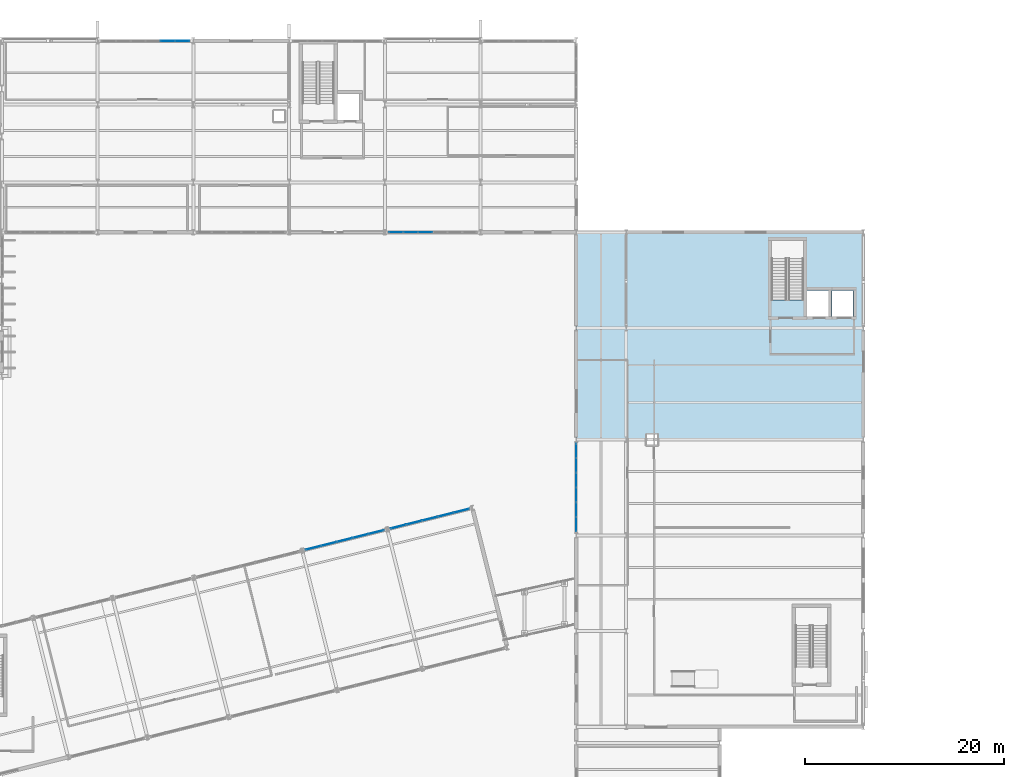
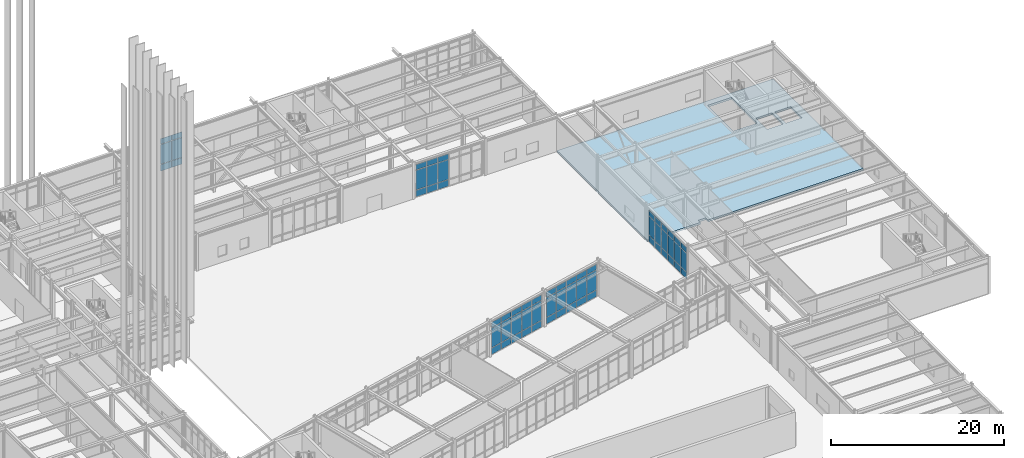
# One storey, part 75 of 109: 63 plates, 1 slab, 5 elements without a shape of their own.
"""IFC4 building model written with IfcOpenShell, lengths in metres."""

from ifc_helpers import new_model, si_unit, direction, frame, origin, origin_2d, place, context, subcontext, project, spatial, polyline, rectangle, outline, extrude, material, layer, layer_set, type_object, element, aggregate, save


model = new_model("IFC4")

# Units and contexts
model_context = context("Model", 3, precision=1e-05, world=origin(), true_north=direction((0.0, 1.0)))
body_context = subcontext(model_context, "Body", "Model", "MODEL_VIEW")
ifc_project = project(units=[si_unit("LENGTHUNIT", "METRE"), si_unit("AREAUNIT", "SQUARE_METRE"), si_unit("VOLUMEUNIT", "CUBIC_METRE"), si_unit("PLANEANGLEUNIT", "RADIAN"), si_unit("MASSUNIT", "GRAM", prefix="KILO")], contexts=[model_context])

# Site, building, storey
site_placement = place(None, origin())
site = spatial("IfcSite", under=ifc_project, at=site_placement, CompositionType="ELEMENT")
building_placement = place(site_placement, origin())
building = spatial("IfcBuilding", under=site, at=building_placement, Name="Nordkorset Police Headquarters", CompositionType="ELEMENT")
storey_placement = place(building_placement, origin())
storey = spatial("IfcBuildingStorey", under=building, at=storey_placement, Name="L00", CompositionType="ELEMENT", Elevation=0.0)

# Curtain wall, plates
ifc_material_1 = material(Name="Aluminium alloy AW-6060", Category="aluminium")
ifc_layer_1 = layer(ifc_material_1, 0.179931640625, Name="Aluminium alloy AW-6060")
ifc_layer_set_1 = layer_set([ifc_layer_1], Name="Aluminium alloy AW-6060")
curtain_wall_type_1 = type_object("IfcCurtainWallType", Name="CW_Unit_888x467", PredefinedType="USERDEFINED", material=ifc_layer_set_1)
curtain_wall_1_placement = place(storey_placement, origin())
curtain_wall_1 = element("IfcCurtainWall", 1, at=curtain_wall_1_placement, inside=storey, type_object=curtain_wall_type_1, Name="Unitised Curtain Wall L00 V2N-1", ObjectType="UNITISED CURTAIN WALL", PredefinedType="USERDEFINED")
ifc_material_2 = material(Name="Low-iron triple glazing", Category="glass")
ifc_layer_2 = layer(ifc_material_2, 0.035888671875, Name="Low-iron triple glazing")
ifc_layer_set_2 = layer_set([ifc_layer_2], Name="Low-iron triple glazing")
plate_type = type_object("IfcPlateType", Name="CW_Panel_TripleGlazing_36", PredefinedType="CURTAIN_PANEL", material=ifc_layer_set_2)
plate_1_placement = place(storey_placement, frame((45.419921875, 116.800048828125, 0.06494140625), z_axis=(0.0, 0.0, 1.0), x_axis=(1.0, 0.0, 0.0)))
plate_1 = element("IfcPlate", 2, at=plate_1_placement, type_object=plate_type, Name="CW-51 panel 5.1", PredefinedType="CURTAIN_PANEL", context=body_context, shape_type="SweptSolid", body=[
    extrude(rectangle(XDim=1.4150390625, YDim=0.035888671875, at=origin_2d()), origin(), (0.0, 0.0, 1.0), 0.902587890625),
])
plate_2_placement = place(storey_placement, frame((45.419921875, 116.800048828125, 1.032470703125), z_axis=(0.0, 0.0, 1.0), x_axis=(1.0, 0.0, 0.0)))
plate_2 = element("IfcPlate", 3, at=plate_2_placement, type_object=plate_type, Name="CW-51 panel 5.2", PredefinedType="CURTAIN_PANEL", context=body_context, shape_type="SweptSolid", body=[
    extrude(rectangle(XDim=1.4150390625, YDim=0.035888671875, at=origin_2d()), origin(), (0.0, 0.0, 1.0), 2.7548828125),
])
plate_3_placement = place(storey_placement, frame((45.419921875, 116.800048828125, 3.8525390625), z_axis=(0.0, 0.0, 1.0), x_axis=(1.0, 0.0, 0.0)))
plate_3 = element("IfcPlate", 4, at=plate_3_placement, type_object=plate_type, Name="CW-51 panel 5.3", PredefinedType="CURTAIN_PANEL", context=body_context, shape_type="SweptSolid", body=[
    extrude(rectangle(XDim=1.4150390625, YDim=0.035888671875, at=origin_2d()), origin(), (0.0, 0.0, 1.0), 0.75244140625),
])
plate_4_placement = place(storey_placement, frame((46.8837890625, 116.800048828125, 0.06494140625), z_axis=(0.0, 0.0, 1.0), x_axis=(1.0, 0.0, 0.0)))
plate_4 = element("IfcPlate", 5, at=plate_4_placement, type_object=plate_type, Name="CW-51 panel 6.1", PredefinedType="CURTAIN_PANEL", context=body_context, shape_type="SweptSolid", body=[
    extrude(rectangle(XDim=1.382568359375, YDim=0.035888671875, at=origin_2d()), origin(), (0.0, 0.0, 1.0), 0.902587890625),
])
plate_5_placement = place(storey_placement, frame((46.8837890625, 116.800048828125, 1.032470703125), z_axis=(0.0, 0.0, 1.0), x_axis=(1.0, 0.0, 0.0)))
plate_5 = element("IfcPlate", 6, at=plate_5_placement, type_object=plate_type, Name="CW-51 panel 6.2", PredefinedType="CURTAIN_PANEL", context=body_context, shape_type="SweptSolid", body=[
    extrude(rectangle(XDim=1.382568359375, YDim=0.035888671875, at=origin_2d()), origin(), (0.0, 0.0, 1.0), 2.7548828125),
])
plate_6_placement = place(storey_placement, frame((46.8837890625, 116.800048828125, 3.8525390625), z_axis=(0.0, 0.0, 1.0), x_axis=(1.0, 0.0, 0.0)))
plate_6 = element("IfcPlate", 7, at=plate_6_placement, type_object=plate_type, Name="CW-51 panel 6.3", PredefinedType="CURTAIN_PANEL", context=body_context, shape_type="SweptSolid", body=[
    extrude(rectangle(XDim=1.382568359375, YDim=0.035888671875, at=origin_2d()), origin(), (0.0, 0.0, 1.0), 0.75244140625),
])
aggregate(curtain_wall_1, [plate_1, plate_2, plate_3, plate_4, plate_5, plate_6])

curtain_wall_2_placement = place(storey_placement, origin())
curtain_wall_2 = element("IfcCurtainWall", 8, at=curtain_wall_2_placement, inside=storey, type_object=curtain_wall_type_1, Name="Unitised Curtain Wall L00 V2S-4", ObjectType="UNITISED CURTAIN WALL", PredefinedType="USERDEFINED")
plate_7_placement = place(storey_placement, frame((68.316162109375, 97.60009765625, 0.06494140625), z_axis=(0.0, 0.0, 1.0), x_axis=(1.0, 0.0, 0.0)))
plate_7 = element("IfcPlate", 9, at=plate_7_placement, type_object=plate_type, Name="CW-51 panel 1.1", PredefinedType="CURTAIN_PANEL", context=body_context, shape_type="SweptSolid", body=[
    extrude(rectangle(XDim=1.382568359375, YDim=0.035888671875, at=origin_2d()), origin(), (0.0, 0.0, 1.0), 0.902587890625),
])
plate_8_placement = place(storey_placement, frame((68.316162109375, 97.60009765625, 1.032470703125), z_axis=(0.0, 0.0, 1.0), x_axis=(1.0, 0.0, 0.0)))
plate_8 = element("IfcPlate", 10, at=plate_8_placement, type_object=plate_type, Name="CW-51 panel 1.2", PredefinedType="CURTAIN_PANEL", context=body_context, shape_type="SweptSolid", body=[
    extrude(rectangle(XDim=1.382568359375, YDim=0.035888671875, at=origin_2d()), origin(), (0.0, 0.0, 1.0), 2.7548828125),
])
plate_9_placement = place(storey_placement, frame((68.316162109375, 97.60009765625, 3.8525390625), z_axis=(0.0, 0.0, 1.0), x_axis=(1.0, 0.0, 0.0)))
plate_9 = element("IfcPlate", 11, at=plate_9_placement, type_object=plate_type, Name="CW-51 panel 1.3", PredefinedType="CURTAIN_PANEL", context=body_context, shape_type="SweptSolid", body=[
    extrude(rectangle(XDim=1.382568359375, YDim=0.035888671875, at=origin_2d()), origin(), (0.0, 0.0, 1.0), 0.75244140625),
])
plate_10_placement = place(storey_placement, frame((69.780029296875, 97.60009765625, 0.06494140625), z_axis=(0.0, 0.0, 1.0), x_axis=(1.0, 0.0, 0.0)))
plate_10 = element("IfcPlate", 12, at=plate_10_placement, type_object=plate_type, Name="CW-51 panel 2.1", PredefinedType="CURTAIN_PANEL", context=body_context, shape_type="SweptSolid", body=[
    extrude(rectangle(XDim=1.4150390625, YDim=0.035888671875, at=origin_2d()), origin(), (0.0, 0.0, 1.0), 0.902587890625),
])
plate_11_placement = place(storey_placement, frame((69.780029296875, 97.60009765625, 1.032470703125), z_axis=(0.0, 0.0, 1.0), x_axis=(1.0, 0.0, 0.0)))
plate_11 = element("IfcPlate", 13, at=plate_11_placement, type_object=plate_type, Name="CW-51 panel 2.2", PredefinedType="CURTAIN_PANEL", context=body_context, shape_type="SweptSolid", body=[
    extrude(rectangle(XDim=1.4150390625, YDim=0.035888671875, at=origin_2d()), origin(), (0.0, 0.0, 1.0), 2.7548828125),
])
plate_12_placement = place(storey_placement, frame((69.780029296875, 97.60009765625, 3.8525390625), z_axis=(0.0, 0.0, 1.0), x_axis=(1.0, 0.0, 0.0)))
plate_12 = element("IfcPlate", 14, at=plate_12_placement, type_object=plate_type, Name="CW-51 panel 2.3", PredefinedType="CURTAIN_PANEL", context=body_context, shape_type="SweptSolid", body=[
    extrude(rectangle(XDim=1.4150390625, YDim=0.035888671875, at=origin_2d()), origin(), (0.0, 0.0, 1.0), 0.75244140625),
])
plate_13_placement = place(storey_placement, frame((71.260009765625, 97.60009765625, 0.06494140625), z_axis=(0.0, 0.0, 1.0), x_axis=(1.0, 0.0, 0.0)))
plate_13 = element("IfcPlate", 15, at=plate_13_placement, type_object=plate_type, Name="CW-51 panel 3.1", PredefinedType="CURTAIN_PANEL", context=body_context, shape_type="SweptSolid", body=[
    extrude(rectangle(XDim=1.4150390625, YDim=0.035888671875, at=origin_2d()), origin(), (0.0, 0.0, 1.0), 0.902587890625),
])
plate_14_placement = place(storey_placement, frame((71.260009765625, 97.60009765625, 1.032470703125), z_axis=(0.0, 0.0, 1.0), x_axis=(1.0, 0.0, 0.0)))
plate_14 = element("IfcPlate", 16, at=plate_14_placement, type_object=plate_type, Name="CW-51 panel 3.2", PredefinedType="CURTAIN_PANEL", context=body_context, shape_type="SweptSolid", body=[
    extrude(rectangle(XDim=1.4150390625, YDim=0.035888671875, at=origin_2d()), origin(), (0.0, 0.0, 1.0), 2.7548828125),
])
plate_15_placement = place(storey_placement, frame((71.260009765625, 97.60009765625, 3.8525390625), z_axis=(0.0, 0.0, 1.0), x_axis=(1.0, 0.0, 0.0)))
plate_15 = element("IfcPlate", 17, at=plate_15_placement, type_object=plate_type, Name="CW-51 panel 3.3", PredefinedType="CURTAIN_PANEL", context=body_context, shape_type="SweptSolid", body=[
    extrude(rectangle(XDim=1.4150390625, YDim=0.035888671875, at=origin_2d()), origin(), (0.0, 0.0, 1.0), 0.75244140625),
])
aggregate(curtain_wall_2, [plate_7, plate_8, plate_9, plate_10, plate_11, plate_12, plate_13, plate_14, plate_15])

ifc_material_3 = material(Name="Aluminium alloy AW-6060", Category="aluminium")
ifc_layer_3 = layer(ifc_material_3, 0.179931640625, Name="Aluminium alloy AW-6060")
ifc_layer_set_3 = layer_set([ifc_layer_3], Name="Aluminium alloy AW-6060")
curtain_wall_type_2 = type_object("IfcCurtainWallType", Name="CW_Unit_816x467", PredefinedType="USERDEFINED", material=ifc_layer_set_3)
curtain_wall_3_placement = place(storey_placement, origin())
curtain_wall_3 = element("IfcCurtainWall", 18, at=curtain_wall_3_placement, inside=storey, type_object=curtain_wall_type_2, Name="Unitised Curtain Wall L00 V4N-4", ObjectType="UNITISED CURTAIN WALL", PredefinedType="USERDEFINED")
plate_16_placement = place(storey_placement, frame((60.031005859375, 65.950927734375, 0.06494140625), z_axis=(0.0, 0.0, 1.0), x_axis=(0.970142572234, 0.242535336683, 0.0)))
plate_16 = element("IfcPlate", 19, at=plate_16_placement, type_object=plate_type, Name="CW-80 panel 1.1", PredefinedType="CURTAIN_PANEL", context=body_context, shape_type="SweptSolid", body=[
    extrude(rectangle(XDim=1.534423828125, YDim=0.035888671875, at=origin_2d()), origin(), (0.0, 0.0, 1.0), 0.902587890625),
])
plate_17_placement = place(storey_placement, frame((60.031005859375, 65.950927734375, 1.032470703125), z_axis=(0.0, 0.0, 1.0), x_axis=(0.970142572234, 0.242535336683, 0.0)))
plate_17 = element("IfcPlate", 20, at=plate_17_placement, type_object=plate_type, Name="CW-80 panel 1.2", PredefinedType="CURTAIN_PANEL", context=body_context, shape_type="SweptSolid", body=[
    extrude(rectangle(XDim=1.534423828125, YDim=0.035888671875, at=origin_2d()), origin(), (0.0, 0.0, 1.0), 2.7548828125),
])
plate_18_placement = place(storey_placement, frame((60.031005859375, 65.950927734375, 3.8525390625), z_axis=(0.0, 0.0, 1.0), x_axis=(0.970142572234, 0.242535336683, 0.0)))
plate_18 = element("IfcPlate", 21, at=plate_18_placement, type_object=plate_type, Name="CW-80 panel 1.3", PredefinedType="CURTAIN_PANEL", context=body_context, shape_type="SweptSolid", body=[
    extrude(rectangle(XDim=1.534423828125, YDim=0.035888671875, at=origin_2d()), origin(), (0.0, 0.0, 1.0), 0.75244140625),
])
plate_19_placement = place(storey_placement, frame((61.5986328125, 66.3427734375, 0.06494140625), z_axis=(0.0, 0.0, 1.0), x_axis=(0.970142572234, 0.242535336683, 0.0)))
plate_19 = element("IfcPlate", 22, at=plate_19_placement, type_object=plate_type, Name="CW-80 panel 2.1", PredefinedType="CURTAIN_PANEL", context=body_context, shape_type="SweptSolid", body=[
    extrude(rectangle(XDim=1.56689453125, YDim=0.035888671875, at=origin_2d()), origin(), (0.0, 0.0, 1.0), 0.902587890625),
])
plate_20_placement = place(storey_placement, frame((61.5986328125, 66.3427734375, 1.032470703125), z_axis=(0.0, 0.0, 1.0), x_axis=(0.970142572234, 0.242535336683, 0.0)))
plate_20 = element("IfcPlate", 23, at=plate_20_placement, type_object=plate_type, Name="CW-80 panel 2.2", PredefinedType="CURTAIN_PANEL", context=body_context, shape_type="SweptSolid", body=[
    extrude(rectangle(XDim=1.56689453125, YDim=0.035888671875, at=origin_2d()), origin(), (0.0, 0.0, 1.0), 2.7548828125),
])
plate_21_placement = place(storey_placement, frame((61.5986328125, 66.3427734375, 3.8525390625), z_axis=(0.0, 0.0, 1.0), x_axis=(0.970142572234, 0.242535336683, 0.0)))
plate_21 = element("IfcPlate", 24, at=plate_21_placement, type_object=plate_type, Name="CW-80 panel 2.3", PredefinedType="CURTAIN_PANEL", context=body_context, shape_type="SweptSolid", body=[
    extrude(rectangle(XDim=1.56689453125, YDim=0.035888671875, at=origin_2d()), origin(), (0.0, 0.0, 1.0), 0.75244140625),
])
plate_22_placement = place(storey_placement, frame((63.181884765625, 66.738525390625, 0.06494140625), z_axis=(0.0, 0.0, 1.0), x_axis=(0.970142572234, 0.242535336683, 0.0)))
plate_22 = element("IfcPlate", 25, at=plate_22_placement, type_object=plate_type, Name="CW-80 panel 3.1", PredefinedType="CURTAIN_PANEL", context=body_context, shape_type="SweptSolid", body=[
    extrude(rectangle(XDim=1.56689453125, YDim=0.035888671875, at=origin_2d()), origin(), (0.0, 0.0, 1.0), 0.902587890625),
])
plate_23_placement = place(storey_placement, frame((63.181884765625, 66.738525390625, 1.032470703125), z_axis=(0.0, 0.0, 1.0), x_axis=(0.970142572234, 0.242535336683, 0.0)))
plate_23 = element("IfcPlate", 26, at=plate_23_placement, type_object=plate_type, Name="CW-80 panel 3.2", PredefinedType="CURTAIN_PANEL", context=body_context, shape_type="SweptSolid", body=[
    extrude(rectangle(XDim=1.56689453125, YDim=0.035888671875, at=origin_2d()), origin(), (0.0, 0.0, 1.0), 2.7548828125),
])
plate_24_placement = place(storey_placement, frame((63.181884765625, 66.738525390625, 3.8525390625), z_axis=(0.0, 0.0, 1.0), x_axis=(0.970142572234, 0.242535336683, 0.0)))
plate_24 = element("IfcPlate", 27, at=plate_24_placement, type_object=plate_type, Name="CW-80 panel 3.3", PredefinedType="CURTAIN_PANEL", context=body_context, shape_type="SweptSolid", body=[
    extrude(rectangle(XDim=1.56689453125, YDim=0.035888671875, at=origin_2d()), origin(), (0.0, 0.0, 1.0), 0.75244140625),
])
plate_25_placement = place(storey_placement, frame((64.76513671875, 67.134521484375, 0.06494140625), z_axis=(0.0, 0.0, 1.0), x_axis=(0.970142572234, 0.242535336683, 0.0)))
plate_25 = element("IfcPlate", 28, at=plate_25_placement, type_object=plate_type, Name="CW-80 panel 4.1", PredefinedType="CURTAIN_PANEL", context=body_context, shape_type="SweptSolid", body=[
    extrude(rectangle(XDim=1.56689453125, YDim=0.035888671875, at=origin_2d()), origin(), (0.0, 0.0, 1.0), 0.902587890625),
])
plate_26_placement = place(storey_placement, frame((64.76513671875, 67.134521484375, 1.032470703125), z_axis=(0.0, 0.0, 1.0), x_axis=(0.970142572234, 0.242535336683, 0.0)))
plate_26 = element("IfcPlate", 29, at=plate_26_placement, type_object=plate_type, Name="CW-80 panel 4.2", PredefinedType="CURTAIN_PANEL", context=body_context, shape_type="SweptSolid", body=[
    extrude(rectangle(XDim=1.56689453125, YDim=0.035888671875, at=origin_2d()), origin(), (0.0, 0.0, 1.0), 2.7548828125),
])
plate_27_placement = place(storey_placement, frame((64.76513671875, 67.134521484375, 3.8525390625), z_axis=(0.0, 0.0, 1.0), x_axis=(0.970142572234, 0.242535336683, 0.0)))
plate_27 = element("IfcPlate", 30, at=plate_27_placement, type_object=plate_type, Name="CW-80 panel 4.3", PredefinedType="CURTAIN_PANEL", context=body_context, shape_type="SweptSolid", body=[
    extrude(rectangle(XDim=1.56689453125, YDim=0.035888671875, at=origin_2d()), origin(), (0.0, 0.0, 1.0), 0.75244140625),
])
plate_28_placement = place(storey_placement, frame((66.33251953125, 67.5263671875, 0.06494140625), z_axis=(0.0, 0.0, 1.0), x_axis=(0.970142572234, 0.242535336683, 0.0)))
plate_28 = element("IfcPlate", 31, at=plate_28_placement, type_object=plate_type, Name="CW-80 panel 5.1", PredefinedType="CURTAIN_PANEL", context=body_context, shape_type="SweptSolid", body=[
    extrude(rectangle(XDim=1.534423828125, YDim=0.035888671875, at=origin_2d()), origin(), (0.0, 0.0, 1.0), 0.902587890625),
])
plate_29_placement = place(storey_placement, frame((66.33251953125, 67.5263671875, 1.032470703125), z_axis=(0.0, 0.0, 1.0), x_axis=(0.970142572234, 0.242535336683, 0.0)))
plate_29 = element("IfcPlate", 32, at=plate_29_placement, type_object=plate_type, Name="CW-80 panel 5.2", PredefinedType="CURTAIN_PANEL", context=body_context, shape_type="SweptSolid", body=[
    extrude(rectangle(XDim=1.534423828125, YDim=0.035888671875, at=origin_2d()), origin(), (0.0, 0.0, 1.0), 2.7548828125),
])
plate_30_placement = place(storey_placement, frame((66.33251953125, 67.5263671875, 3.8525390625), z_axis=(0.0, 0.0, 1.0), x_axis=(0.970142572234, 0.242535336683, 0.0)))
plate_30 = element("IfcPlate", 33, at=plate_30_placement, type_object=plate_type, Name="CW-80 panel 5.3", PredefinedType="CURTAIN_PANEL", context=body_context, shape_type="SweptSolid", body=[
    extrude(rectangle(XDim=1.534423828125, YDim=0.035888671875, at=origin_2d()), origin(), (0.0, 0.0, 1.0), 0.75244140625),
])
aggregate(curtain_wall_3, [plate_16, plate_17, plate_18, plate_19, plate_20, plate_21, plate_22, plate_23, plate_24, plate_25, plate_26, plate_27, plate_28, plate_29, plate_30])

curtain_wall_4_placement = place(storey_placement, origin())
curtain_wall_4 = element("IfcCurtainWall", 34, at=curtain_wall_4_placement, inside=storey, type_object=curtain_wall_type_2, Name="Unitised Curtain Wall L00 V4N-5", ObjectType="UNITISED CURTAIN WALL", PredefinedType="USERDEFINED")
plate_31_placement = place(storey_placement, frame((68.568359375, 68.085205078125, 0.06494140625), z_axis=(0.0, 0.0, 1.0), x_axis=(0.970142500145, 0.242535625038, 0.0)))
plate_31 = element("IfcPlate", 35, at=plate_31_placement, type_object=plate_type, Name="CW-80 panel 1.1", PredefinedType="CURTAIN_PANEL", context=body_context, shape_type="SweptSolid", body=[
    extrude(rectangle(XDim=1.534423828125, YDim=0.035888671875, at=origin_2d()), origin(), (0.0, 0.0, 1.0), 0.902587890625),
])
plate_32_placement = place(storey_placement, frame((68.568359375, 68.085205078125, 1.032470703125), z_axis=(0.0, 0.0, 1.0), x_axis=(0.970142500145, 0.242535625038, 0.0)))
plate_32 = element("IfcPlate", 36, at=plate_32_placement, type_object=plate_type, Name="CW-80 panel 1.2", PredefinedType="CURTAIN_PANEL", context=body_context, shape_type="SweptSolid", body=[
    extrude(rectangle(XDim=1.534423828125, YDim=0.035888671875, at=origin_2d()), origin(), (0.0, 0.0, 1.0), 2.7548828125),
])
plate_33_placement = place(storey_placement, frame((68.568359375, 68.085205078125, 3.8525390625), z_axis=(0.0, 0.0, 1.0), x_axis=(0.970142500145, 0.242535625038, 0.0)))
plate_33 = element("IfcPlate", 37, at=plate_33_placement, type_object=plate_type, Name="CW-80 panel 1.3", PredefinedType="CURTAIN_PANEL", context=body_context, shape_type="SweptSolid", body=[
    extrude(rectangle(XDim=1.534423828125, YDim=0.035888671875, at=origin_2d()), origin(), (0.0, 0.0, 1.0), 0.75244140625),
])
plate_34_placement = place(storey_placement, frame((70.1357421875, 68.47705078125, 0.06494140625), z_axis=(0.0, 0.0, 1.0), x_axis=(0.970142500145, 0.242535625038, 0.0)))
plate_34 = element("IfcPlate", 38, at=plate_34_placement, type_object=plate_type, Name="CW-80 panel 2.1", PredefinedType="CURTAIN_PANEL", context=body_context, shape_type="SweptSolid", body=[
    extrude(rectangle(XDim=1.56689453125, YDim=0.035888671875, at=origin_2d()), origin(), (0.0, 0.0, 1.0), 0.902587890625),
])
plate_35_placement = place(storey_placement, frame((70.1357421875, 68.47705078125, 1.032470703125), z_axis=(0.0, 0.0, 1.0), x_axis=(0.970142500145, 0.242535625038, 0.0)))
plate_35 = element("IfcPlate", 39, at=plate_35_placement, type_object=plate_type, Name="CW-80 panel 2.2", PredefinedType="CURTAIN_PANEL", context=body_context, shape_type="SweptSolid", body=[
    extrude(rectangle(XDim=1.56689453125, YDim=0.035888671875, at=origin_2d()), origin(), (0.0, 0.0, 1.0), 2.7548828125),
])
plate_36_placement = place(storey_placement, frame((70.1357421875, 68.47705078125, 3.8525390625), z_axis=(0.0, 0.0, 1.0), x_axis=(0.970142500145, 0.242535625038, 0.0)))
plate_36 = element("IfcPlate", 40, at=plate_36_placement, type_object=plate_type, Name="CW-80 panel 2.3", PredefinedType="CURTAIN_PANEL", context=body_context, shape_type="SweptSolid", body=[
    extrude(rectangle(XDim=1.56689453125, YDim=0.035888671875, at=origin_2d()), origin(), (0.0, 0.0, 1.0), 0.75244140625),
])
plate_37_placement = place(storey_placement, frame((71.718994140625, 68.873046875, 0.06494140625), z_axis=(0.0, 0.0, 1.0), x_axis=(0.970142500145, 0.242535625038, 0.0)))
plate_37 = element("IfcPlate", 41, at=plate_37_placement, type_object=plate_type, Name="CW-80 panel 3.1", PredefinedType="CURTAIN_PANEL", context=body_context, shape_type="SweptSolid", body=[
    extrude(rectangle(XDim=1.56689453125, YDim=0.035888671875, at=origin_2d()), origin(), (0.0, 0.0, 1.0), 0.902587890625),
])
plate_38_placement = place(storey_placement, frame((71.718994140625, 68.873046875, 1.032470703125), z_axis=(0.0, 0.0, 1.0), x_axis=(0.970142500145, 0.242535625038, 0.0)))
plate_38 = element("IfcPlate", 42, at=plate_38_placement, type_object=plate_type, Name="CW-80 panel 3.2", PredefinedType="CURTAIN_PANEL", context=body_context, shape_type="SweptSolid", body=[
    extrude(rectangle(XDim=1.56689453125, YDim=0.035888671875, at=origin_2d()), origin(), (0.0, 0.0, 1.0), 2.7548828125),
])
plate_39_placement = place(storey_placement, frame((71.718994140625, 68.873046875, 3.8525390625), z_axis=(0.0, 0.0, 1.0), x_axis=(0.970142500145, 0.242535625038, 0.0)))
plate_39 = element("IfcPlate", 43, at=plate_39_placement, type_object=plate_type, Name="CW-80 panel 3.3", PredefinedType="CURTAIN_PANEL", context=body_context, shape_type="SweptSolid", body=[
    extrude(rectangle(XDim=1.56689453125, YDim=0.035888671875, at=origin_2d()), origin(), (0.0, 0.0, 1.0), 0.75244140625),
])
plate_40_placement = place(storey_placement, frame((73.30224609375, 69.268798828125, 0.06494140625), z_axis=(0.0, 0.0, 1.0), x_axis=(0.970142500145, 0.242535625038, 0.0)))
plate_40 = element("IfcPlate", 44, at=plate_40_placement, type_object=plate_type, Name="CW-80 panel 4.1", PredefinedType="CURTAIN_PANEL", context=body_context, shape_type="SweptSolid", body=[
    extrude(rectangle(XDim=1.56689453125, YDim=0.035888671875, at=origin_2d()), origin(), (0.0, 0.0, 1.0), 0.902587890625),
])
plate_41_placement = place(storey_placement, frame((73.30224609375, 69.268798828125, 1.032470703125), z_axis=(0.0, 0.0, 1.0), x_axis=(0.970142500145, 0.242535625038, 0.0)))
plate_41 = element("IfcPlate", 45, at=plate_41_placement, type_object=plate_type, Name="CW-80 panel 4.2", PredefinedType="CURTAIN_PANEL", context=body_context, shape_type="SweptSolid", body=[
    extrude(rectangle(XDim=1.56689453125, YDim=0.035888671875, at=origin_2d()), origin(), (0.0, 0.0, 1.0), 2.7548828125),
])
plate_42_placement = place(storey_placement, frame((73.30224609375, 69.268798828125, 3.8525390625), z_axis=(0.0, 0.0, 1.0), x_axis=(0.970142500145, 0.242535625038, 0.0)))
plate_42 = element("IfcPlate", 46, at=plate_42_placement, type_object=plate_type, Name="CW-80 panel 4.3", PredefinedType="CURTAIN_PANEL", context=body_context, shape_type="SweptSolid", body=[
    extrude(rectangle(XDim=1.56689453125, YDim=0.035888671875, at=origin_2d()), origin(), (0.0, 0.0, 1.0), 0.75244140625),
])
plate_43_placement = place(storey_placement, frame((74.869873046875, 69.66064453125, 0.06494140625), z_axis=(0.0, 0.0, 1.0), x_axis=(0.970142500145, 0.242535625038, 0.0)))
plate_43 = element("IfcPlate", 47, at=plate_43_placement, type_object=plate_type, Name="CW-80 panel 5.1", PredefinedType="CURTAIN_PANEL", context=body_context, shape_type="SweptSolid", body=[
    extrude(rectangle(XDim=1.534423828125, YDim=0.035888671875, at=origin_2d()), origin(), (0.0, 0.0, 1.0), 0.902587890625),
])
plate_44_placement = place(storey_placement, frame((74.869873046875, 69.66064453125, 1.032470703125), z_axis=(0.0, 0.0, 1.0), x_axis=(0.970142500145, 0.242535625038, 0.0)))
plate_44 = element("IfcPlate", 48, at=plate_44_placement, type_object=plate_type, Name="CW-80 panel 5.2", PredefinedType="CURTAIN_PANEL", context=body_context, shape_type="SweptSolid", body=[
    extrude(rectangle(XDim=1.534423828125, YDim=0.035888671875, at=origin_2d()), origin(), (0.0, 0.0, 1.0), 2.7548828125),
])
plate_45_placement = place(storey_placement, frame((74.869873046875, 69.66064453125, 3.8525390625), z_axis=(0.0, 0.0, 1.0), x_axis=(0.970142500145, 0.242535625038, 0.0)))
plate_45 = element("IfcPlate", 49, at=plate_45_placement, type_object=plate_type, Name="CW-80 panel 5.3", PredefinedType="CURTAIN_PANEL", context=body_context, shape_type="SweptSolid", body=[
    extrude(rectangle(XDim=1.534423828125, YDim=0.035888671875, at=origin_2d()), origin(), (0.0, 0.0, 1.0), 0.75244140625),
])
aggregate(curtain_wall_4, [plate_31, plate_32, plate_33, plate_34, plate_35, plate_36, plate_37, plate_38, plate_39, plate_40, plate_41, plate_42, plate_43, plate_44, plate_45])

ifc_material_4 = material(Name="Aluminium alloy AW-6060", Category="aluminium")
ifc_layer_4 = layer(ifc_material_4, 0.179931640625, Name="Aluminium alloy AW-6060")
ifc_layer_set_4 = layer_set([ifc_layer_4], Name="Aluminium alloy AW-6060")
curtain_wall_type_3 = type_object("IfcCurtainWallType", Name="CW_Unit_888x454", PredefinedType="USERDEFINED", material=ifc_layer_set_4)
curtain_wall_5_placement = place(storey_placement, origin())
curtain_wall_5 = element("IfcCurtainWall", 50, at=curtain_wall_5_placement, inside=storey, type_object=curtain_wall_type_3, Name="Unitised Curtain Wall L00 V5W-2", ObjectType="UNITISED CURTAIN WALL", PredefinedType="USERDEFINED")
plate_46_placement = place(storey_placement, frame((86.39990234375, 68.316162109375, 0.06494140625), z_axis=(0.0, 0.0, 1.0), x_axis=(0.0, 1.0, 0.0)))
plate_46 = element("IfcPlate", 51, at=plate_46_placement, type_object=plate_type, Name="CW-82 panel 1.1", PredefinedType="CURTAIN_PANEL", context=body_context, shape_type="SweptSolid", body=[
    extrude(rectangle(XDim=1.382568359375, YDim=0.035888671875, at=origin_2d()), origin(), (0.0, 0.0, 1.0), 0.902587890625),
])
plate_47_placement = place(storey_placement, frame((86.39990234375, 68.316162109375, 1.032470703125), z_axis=(0.0, 0.0, 1.0), x_axis=(0.0, 1.0, 0.0)))
plate_47 = element("IfcPlate", 52, at=plate_47_placement, type_object=plate_type, Name="CW-82 panel 1.2", PredefinedType="CURTAIN_PANEL", context=body_context, shape_type="SweptSolid", body=[
    extrude(rectangle(XDim=1.382568359375, YDim=0.035888671875, at=origin_2d()), origin(), (0.0, 0.0, 1.0), 2.625),
])
plate_48_placement = place(storey_placement, frame((86.39990234375, 68.316162109375, 3.722412109375), z_axis=(0.0, 0.0, 1.0), x_axis=(0.0, 1.0, 0.0)))
plate_48 = element("IfcPlate", 53, at=plate_48_placement, type_object=plate_type, Name="CW-82 panel 1.3", PredefinedType="CURTAIN_PANEL", context=body_context, shape_type="SweptSolid", body=[
    extrude(rectangle(XDim=1.382568359375, YDim=0.035888671875, at=origin_2d()), origin(), (0.0, 0.0, 1.0), 0.75244140625),
])
plate_49_placement = place(storey_placement, frame((86.39990234375, 69.780029296875, 0.06494140625), z_axis=(0.0, 0.0, 1.0), x_axis=(0.0, 1.0, 0.0)))
plate_49 = element("IfcPlate", 54, at=plate_49_placement, type_object=plate_type, Name="CW-82 panel 2.1", PredefinedType="CURTAIN_PANEL", context=body_context, shape_type="SweptSolid", body=[
    extrude(rectangle(XDim=1.4150390625, YDim=0.035888671875, at=origin_2d()), origin(), (0.0, 0.0, 1.0), 0.902587890625),
])
plate_50_placement = place(storey_placement, frame((86.39990234375, 69.780029296875, 1.032470703125), z_axis=(0.0, 0.0, 1.0), x_axis=(0.0, 1.0, 0.0)))
plate_50 = element("IfcPlate", 55, at=plate_50_placement, type_object=plate_type, Name="CW-82 panel 2.2", PredefinedType="CURTAIN_PANEL", context=body_context, shape_type="SweptSolid", body=[
    extrude(rectangle(XDim=1.4150390625, YDim=0.035888671875, at=origin_2d()), origin(), (0.0, 0.0, 1.0), 2.625),
])
plate_51_placement = place(storey_placement, frame((86.39990234375, 69.780029296875, 3.722412109375), z_axis=(0.0, 0.0, 1.0), x_axis=(0.0, 1.0, 0.0)))
plate_51 = element("IfcPlate", 56, at=plate_51_placement, type_object=plate_type, Name="CW-82 panel 2.3", PredefinedType="CURTAIN_PANEL", context=body_context, shape_type="SweptSolid", body=[
    extrude(rectangle(XDim=1.4150390625, YDim=0.035888671875, at=origin_2d()), origin(), (0.0, 0.0, 1.0), 0.75244140625),
])
plate_52_placement = place(storey_placement, frame((86.39990234375, 71.260009765625, 0.06494140625), z_axis=(0.0, 0.0, 1.0), x_axis=(0.0, 1.0, 0.0)))
plate_52 = element("IfcPlate", 57, at=plate_52_placement, type_object=plate_type, Name="CW-82 panel 3.1", PredefinedType="CURTAIN_PANEL", context=body_context, shape_type="SweptSolid", body=[
    extrude(rectangle(XDim=1.4150390625, YDim=0.035888671875, at=origin_2d()), origin(), (0.0, 0.0, 1.0), 0.902587890625),
])
plate_53_placement = place(storey_placement, frame((86.39990234375, 71.260009765625, 1.032470703125), z_axis=(0.0, 0.0, 1.0), x_axis=(0.0, 1.0, 0.0)))
plate_53 = element("IfcPlate", 58, at=plate_53_placement, type_object=plate_type, Name="CW-82 panel 3.2", PredefinedType="CURTAIN_PANEL", context=body_context, shape_type="SweptSolid", body=[
    extrude(rectangle(XDim=1.4150390625, YDim=0.035888671875, at=origin_2d()), origin(), (0.0, 0.0, 1.0), 2.625),
])
plate_54_placement = place(storey_placement, frame((86.39990234375, 71.260009765625, 3.722412109375), z_axis=(0.0, 0.0, 1.0), x_axis=(0.0, 1.0, 0.0)))
plate_54 = element("IfcPlate", 59, at=plate_54_placement, type_object=plate_type, Name="CW-82 panel 3.3", PredefinedType="CURTAIN_PANEL", context=body_context, shape_type="SweptSolid", body=[
    extrude(rectangle(XDim=1.4150390625, YDim=0.035888671875, at=origin_2d()), origin(), (0.0, 0.0, 1.0), 0.75244140625),
])
plate_55_placement = place(storey_placement, frame((86.39990234375, 72.739990234375, 0.06494140625), z_axis=(0.0, 0.0, 1.0), x_axis=(0.0, 1.0, 0.0)))
plate_55 = element("IfcPlate", 60, at=plate_55_placement, type_object=plate_type, Name="CW-82 panel 4.1", PredefinedType="CURTAIN_PANEL", context=body_context, shape_type="SweptSolid", body=[
    extrude(rectangle(XDim=1.4150390625, YDim=0.035888671875, at=origin_2d()), origin(), (0.0, 0.0, 1.0), 0.902587890625),
])
plate_56_placement = place(storey_placement, frame((86.39990234375, 72.739990234375, 1.032470703125), z_axis=(0.0, 0.0, 1.0), x_axis=(0.0, 1.0, 0.0)))
plate_56 = element("IfcPlate", 61, at=plate_56_placement, type_object=plate_type, Name="CW-82 panel 4.2", PredefinedType="CURTAIN_PANEL", context=body_context, shape_type="SweptSolid", body=[
    extrude(rectangle(XDim=1.4150390625, YDim=0.035888671875, at=origin_2d()), origin(), (0.0, 0.0, 1.0), 2.625),
])
plate_57_placement = place(storey_placement, frame((86.39990234375, 72.739990234375, 3.722412109375), z_axis=(0.0, 0.0, 1.0), x_axis=(0.0, 1.0, 0.0)))
plate_57 = element("IfcPlate", 62, at=plate_57_placement, type_object=plate_type, Name="CW-82 panel 4.3", PredefinedType="CURTAIN_PANEL", context=body_context, shape_type="SweptSolid", body=[
    extrude(rectangle(XDim=1.4150390625, YDim=0.035888671875, at=origin_2d()), origin(), (0.0, 0.0, 1.0), 0.75244140625),
])
plate_58_placement = place(storey_placement, frame((86.39990234375, 74.219970703125, 0.06494140625), z_axis=(0.0, 0.0, 1.0), x_axis=(0.0, 1.0, 0.0)))
plate_58 = element("IfcPlate", 63, at=plate_58_placement, type_object=plate_type, Name="CW-82 panel 5.1", PredefinedType="CURTAIN_PANEL", context=body_context, shape_type="SweptSolid", body=[
    extrude(rectangle(XDim=1.4150390625, YDim=0.035888671875, at=origin_2d()), origin(), (0.0, 0.0, 1.0), 0.902587890625),
])
plate_59_placement = place(storey_placement, frame((86.39990234375, 74.219970703125, 1.032470703125), z_axis=(0.0, 0.0, 1.0), x_axis=(0.0, 1.0, 0.0)))
plate_59 = element("IfcPlate", 64, at=plate_59_placement, type_object=plate_type, Name="CW-82 panel 5.2", PredefinedType="CURTAIN_PANEL", context=body_context, shape_type="SweptSolid", body=[
    extrude(rectangle(XDim=1.4150390625, YDim=0.035888671875, at=origin_2d()), origin(), (0.0, 0.0, 1.0), 2.625),
])
plate_60_placement = place(storey_placement, frame((86.39990234375, 74.219970703125, 3.722412109375), z_axis=(0.0, 0.0, 1.0), x_axis=(0.0, 1.0, 0.0)))
plate_60 = element("IfcPlate", 65, at=plate_60_placement, type_object=plate_type, Name="CW-82 panel 5.3", PredefinedType="CURTAIN_PANEL", context=body_context, shape_type="SweptSolid", body=[
    extrude(rectangle(XDim=1.4150390625, YDim=0.035888671875, at=origin_2d()), origin(), (0.0, 0.0, 1.0), 0.75244140625),
])
plate_61_placement = place(storey_placement, frame((86.39990234375, 75.683837890625, 0.06494140625), z_axis=(0.0, 0.0, 1.0), x_axis=(0.0, 1.0, 0.0)))
plate_61 = element("IfcPlate", 66, at=plate_61_placement, type_object=plate_type, Name="CW-82 panel 6.1", PredefinedType="CURTAIN_PANEL", context=body_context, shape_type="SweptSolid", body=[
    extrude(rectangle(XDim=1.382568359375, YDim=0.035888671875, at=origin_2d()), origin(), (0.0, 0.0, 1.0), 0.902587890625),
])
plate_62_placement = place(storey_placement, frame((86.39990234375, 75.683837890625, 1.032470703125), z_axis=(0.0, 0.0, 1.0), x_axis=(0.0, 1.0, 0.0)))
plate_62 = element("IfcPlate", 67, at=plate_62_placement, type_object=plate_type, Name="CW-82 panel 6.2", PredefinedType="CURTAIN_PANEL", context=body_context, shape_type="SweptSolid", body=[
    extrude(rectangle(XDim=1.382568359375, YDim=0.035888671875, at=origin_2d()), origin(), (0.0, 0.0, 1.0), 2.625),
])
plate_63_placement = place(storey_placement, frame((86.39990234375, 75.683837890625, 3.722412109375), z_axis=(0.0, 0.0, 1.0), x_axis=(0.0, 1.0, 0.0)))
plate_63 = element("IfcPlate", 68, at=plate_63_placement, type_object=plate_type, Name="CW-82 panel 6.3", PredefinedType="CURTAIN_PANEL", context=body_context, shape_type="SweptSolid", body=[
    extrude(rectangle(XDim=1.382568359375, YDim=0.035888671875, at=origin_2d()), origin(), (0.0, 0.0, 1.0), 0.75244140625),
])
aggregate(curtain_wall_5, [plate_46, plate_47, plate_48, plate_49, plate_50, plate_51, plate_52, plate_53, plate_54, plate_55, plate_56, plate_57, plate_58, plate_59, plate_60, plate_61, plate_62, plate_63])

# Slab
ifc_material_5 = material(Name="Concrete C35/45", Category="concrete")
ifc_layer_5 = layer(ifc_material_5, 0.27001953125, Name="Concrete C35/45")
ifc_layer_set_5 = layer_set([ifc_layer_5], Name="Concrete C35/45")
slab_type = type_object("IfcSlabType", Name="Slab_Ground_270", PredefinedType="FLOOR", material=ifc_layer_set_5)
slab_placement = place(storey_placement, frame((0.0, 0.0, -0.27001953125)))
element("IfcSlab", 69, at=slab_placement, inside=storey, type_object=slab_type, Name="Composite Floor Slab V5 North L00", PredefinedType="FLOOR", context=body_context, shape_type="SweptSolid", body=[
    extrude(outline(polyline([(115.199951171875, 76.802001953125), (94.5, 76.802001953125), (94.5, 77.300048828125), (93.5, 77.300048828125), (93.5, 76.802001953125), (86.405029296875, 76.802001953125), (86.405029296875, 97.60009765625), (115.199951171875, 97.60009765625), (115.199951171875, 76.802001953125)]), holes=[polyline([(105.97509765625, 90.827880859375), (109.175048828125, 90.827880859375), (109.175048828125, 96.77490234375), (105.97509765625, 96.77490234375), (105.97509765625, 90.827880859375)]), polyline([(109.52490234375, 91.77490234375), (109.52490234375, 89.175048828125), (111.675048828125, 89.175048828125), (111.675048828125, 91.77490234375), (109.52490234375, 91.77490234375)]), polyline([(114.175048828125, 91.77490234375), (112.02490234375, 91.77490234375), (112.02490234375, 89.175048828125), (114.175048828125, 89.175048828125), (114.175048828125, 91.77490234375)])]), origin(), (0.0, 0.0, 1.0), 0.27001953125),
])

save(model, "model.ifc")
